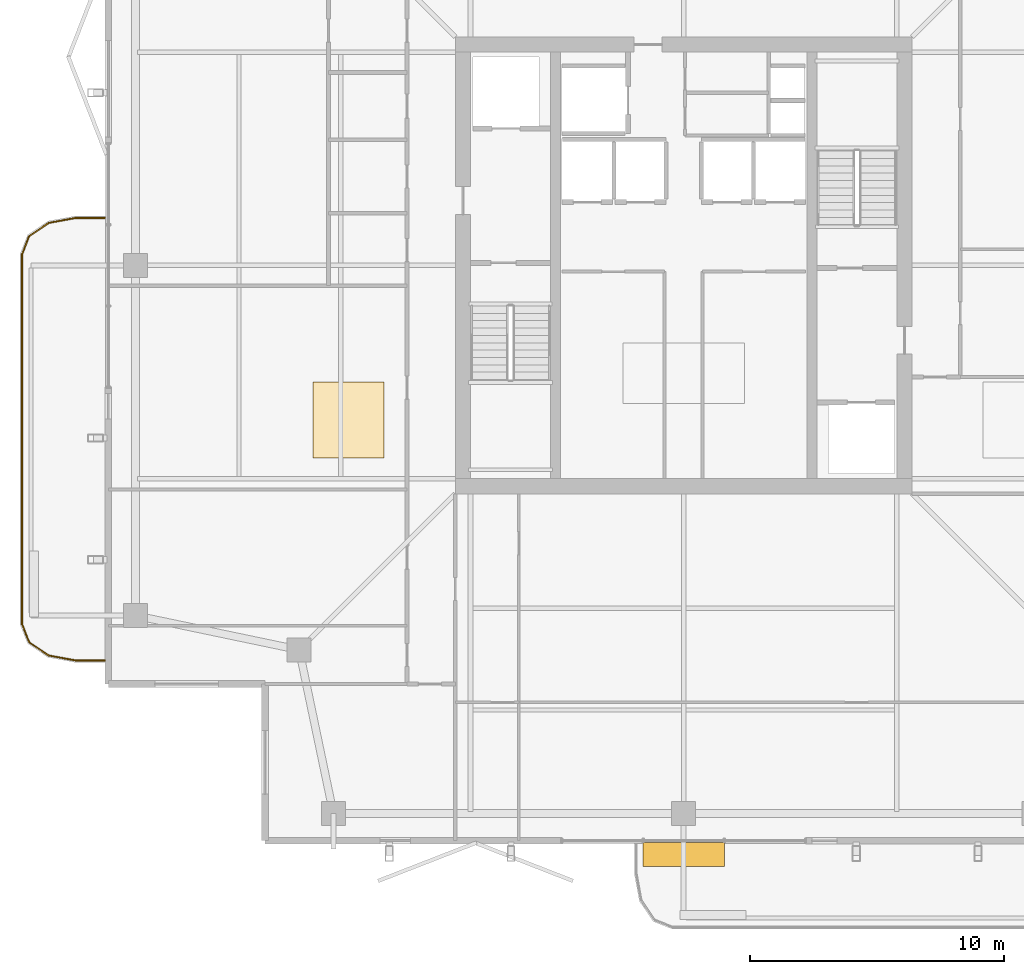
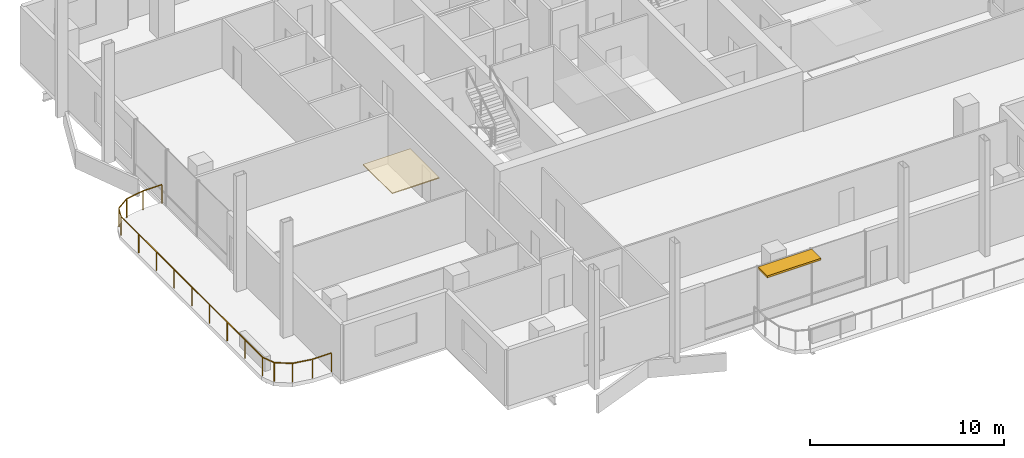
# One storey, part 18 of 20: 1 covering, 1 railing, 1 shading device.
"""IFC4 building model written with IfcOpenShell, lengths in metres."""

from ifc_helpers import new_model, si_unit, direction, frame, origin, origin_2d, place, context, subcontext, project, spatial, polyline, rectangle, outline, extrude, material, layer, layer_set, type_object, element, save


model = new_model("IFC4")

# Units and contexts
model_context = context("Model", 3, precision=1e-05, world=origin(), true_north=direction((0.0, 1.0)))
body_context = subcontext(model_context, "Body", "Model", "MODEL_VIEW")
ifc_project = project(units=[si_unit("LENGTHUNIT", "METRE"), si_unit("AREAUNIT", "SQUARE_METRE"), si_unit("VOLUMEUNIT", "CUBIC_METRE"), si_unit("PLANEANGLEUNIT", "RADIAN"), si_unit("MASSUNIT", "GRAM", prefix="KILO")], contexts=[model_context])

# Site, building, storey
site_placement = place(None, origin())
site = spatial("IfcSite", under=ifc_project, at=site_placement, CompositionType="ELEMENT")
building_placement = place(site_placement, origin())
building = spatial("IfcBuilding", under=site, at=building_placement, Name="Belovzor Exchange Tower", CompositionType="ELEMENT")
storey_placement = place(building_placement, frame((0.0, 0.0, 306.75)))
storey = spatial("IfcBuildingStorey", under=building, at=storey_placement, Name="L76", CompositionType="ELEMENT", Elevation=306.75)

# Railing
ifc_material_1 = material(Name="Stainless Steel and Laminated Safety Glass", Category="steel")
railing_type = type_object("IfcRailingType", Name="Laminated Glass & Stainless Steel Balcony Balustrade 1200", PredefinedType="BALUSTRADE", material=ifc_material_1)
railing_placement = place(storey_placement, frame((5.989990234375, 30.669921875, 0.0)))
element("IfcRailing", 1, at=railing_placement, inside=storey, type_object=railing_type, Name="GR-1 Balcony Balustrade L76 West", PredefinedType="BALUSTRADE", context=body_context, shape_type="SweptSolid", body=[
    extrude(rectangle(XDim=0.048095703125, YDim=0.048095703125, at=origin_2d()), frame((0.0, 0.0, 1.17578125), z_axis=(-1.0, 0.0, 0.0), x_axis=(0.0, -1.0, 0.0)), (0.0, 0.0, 1.0), 1.133056640625),
    extrude(rectangle(XDim=0.048095703125, YDim=0.048095703125, at=origin_2d()), frame((-1.133056640625, 0.0, 1.17578125), z_axis=(-0.983644145941, -0.180122719713, 0.0), x_axis=(0.180122719713, -0.983644145941, 0.0)), (0.0, 0.0, 1.0), 1.09375),
    extrude(rectangle(XDim=0.048095703125, YDim=0.048095703125, at=origin_2d()), frame((-2.208984375, -0.197021484375, 1.17578125), z_axis=(-0.826614792125, -0.562768145367, 0.0), x_axis=(0.562768145367, -0.826614792125, 0.0)), (0.0, 0.0, 1.0), 0.9326171875),
    extrude(rectangle(XDim=0.048095703125, YDim=0.048095703125, at=origin_2d()), frame((-2.97998046875, -0.721923828125, 1.17578125), z_axis=(-0.365612923861, -0.930766990125, 0.0), x_axis=(0.930766990125, -0.365612923861, 0.0)), (0.0, 0.0, 1.0), 0.765869140625),
    extrude(rectangle(XDim=0.048095703125, YDim=0.048095703125, at=origin_2d()), frame((-3.260009765625, -1.434814453125, 1.17578125), z_axis=(0.0, -1.0, 0.0), x_axis=(1.0, 0.0, 0.0)), (0.0, 0.0, 1.0), 14.570068359375),
    extrude(rectangle(XDim=0.048095703125, YDim=0.048095703125, at=origin_2d()), frame((-3.260009765625, -16.0048828125, 1.17578125), z_axis=(0.365504480807, -0.930809580156, 0.0), x_axis=(0.930809580156, 0.365504480807, 0.0)), (0.0, 0.0, 1.0), 0.76611328125),
    extrude(rectangle(XDim=0.048095703125, YDim=0.048095703125, at=origin_2d()), frame((-2.97998046875, -16.718017578125, 1.17578125), z_axis=(0.826614792125, -0.562768145367, 0.0), x_axis=(0.562768145367, 0.826614792125, 0.0)), (0.0, 0.0, 1.0), 0.9326171875),
    extrude(rectangle(XDim=0.048095703125, YDim=0.048095703125, at=origin_2d()), frame((-2.208984375, -17.242919921875, 1.17578125), z_axis=(0.983644145941, -0.180122719713, 0.0), x_axis=(0.180122719713, 0.983644145941, 0.0)), (0.0, 0.0, 1.0), 1.09375),
    extrude(rectangle(XDim=0.048095703125, YDim=0.048095703125, at=origin_2d()), frame((-1.133056640625, -17.43994140625, 1.17578125), z_axis=(1.0, 0.0, 0.0), x_axis=(0.0, 1.0, 0.0)), (0.0, 0.0, 1.0), 1.133056640625),
    extrude(rectangle(XDim=0.0419921875, YDim=0.0419921875, at=origin_2d()), origin(), (0.0, 0.0, 1.0), 1.15185546875),
    extrude(rectangle(XDim=0.0419921875, YDim=0.0419921875, at=origin_2d()), frame((-1.133056640625, 0.0, 0.0)), (0.0, 0.0, 1.0), 1.15185546875),
    extrude(rectangle(XDim=0.0419921875, YDim=0.0419921875, at=origin_2d()), frame((-2.208984375, -0.197021484375, 0.0)), (0.0, 0.0, 1.0), 1.15185546875),
    extrude(rectangle(XDim=0.0419921875, YDim=0.0419921875, at=origin_2d()), frame((-2.97998046875, -0.721923828125, 0.0)), (0.0, 0.0, 1.0), 1.15185546875),
    extrude(rectangle(XDim=0.0419921875, YDim=0.0419921875, at=origin_2d()), frame((-3.260009765625, -1.434814453125, 0.0)), (0.0, 0.0, 1.0), 1.15185546875),
    extrude(rectangle(XDim=0.0419921875, YDim=0.0419921875, at=origin_2d()), frame((-3.260009765625, -3.256103515625, 0.0)), (0.0, 0.0, 1.0), 1.15185546875),
    extrude(rectangle(XDim=0.0419921875, YDim=0.0419921875, at=origin_2d()), frame((-3.260009765625, -5.077392578125, 0.0)), (0.0, 0.0, 1.0), 1.15185546875),
    extrude(rectangle(XDim=0.0419921875, YDim=0.0419921875, at=origin_2d()), frame((-3.260009765625, -6.898681640625, 0.0)), (0.0, 0.0, 1.0), 1.15185546875),
    extrude(rectangle(XDim=0.0419921875, YDim=0.0419921875, at=origin_2d()), frame((-3.260009765625, -8.7197265625, 0.0)), (0.0, 0.0, 1.0), 1.15185546875),
    extrude(rectangle(XDim=0.0419921875, YDim=0.0419921875, at=origin_2d()), frame((-3.260009765625, -10.541015625, 0.0)), (0.0, 0.0, 1.0), 1.15185546875),
    extrude(rectangle(XDim=0.0419921875, YDim=0.0419921875, at=origin_2d()), frame((-3.260009765625, -12.3623046875, 0.0)), (0.0, 0.0, 1.0), 1.15185546875),
    extrude(rectangle(XDim=0.0419921875, YDim=0.0419921875, at=origin_2d()), frame((-3.260009765625, -14.18359375, 0.0)), (0.0, 0.0, 1.0), 1.15185546875),
    extrude(rectangle(XDim=0.0419921875, YDim=0.0419921875, at=origin_2d()), frame((-3.260009765625, -16.0048828125, 0.0)), (0.0, 0.0, 1.0), 1.15185546875),
    extrude(rectangle(XDim=0.0419921875, YDim=0.0419921875, at=origin_2d()), frame((-2.97998046875, -16.718017578125, 0.0)), (0.0, 0.0, 1.0), 1.15185546875),
    extrude(rectangle(XDim=0.0419921875, YDim=0.0419921875, at=origin_2d()), frame((-2.208984375, -17.242919921875, 0.0)), (0.0, 0.0, 1.0), 1.15185546875),
    extrude(rectangle(XDim=0.0419921875, YDim=0.0419921875, at=origin_2d()), frame((-1.133056640625, -17.43994140625, 0.0)), (0.0, 0.0, 1.0), 1.15185546875),
    extrude(rectangle(XDim=0.0419921875, YDim=0.0419921875, at=origin_2d()), frame((0.0, -17.43994140625, 0.0)), (0.0, 0.0, 1.0), 1.15185546875),
])

# Covering
ifc_material_2 = material(Name="Perforated Powder-Coated Aluminium", Category="aluminium")
ifc_layer_1 = layer(ifc_material_2, 0.06005859375)
ifc_layer_set_1 = layer_set([ifc_layer_1], Name="Perforated Powder-Coated Aluminium")
covering_type = type_object("IfcCoveringType", Name="Perforated Acoustic Metal Tile Suspended Ceiling 60", PredefinedType="CEILING", material=ifc_layer_set_1)
covering_placement = place(storey_placement, frame((0.0, 0.0, 3.449951171875)))
element("IfcCovering", 2, at=covering_placement, inside=storey, type_object=covering_type, Name="CLG-AC60 Suspended Ceiling CLG-L76-Z3", PredefinedType="CEILING", context=body_context, shape_type="SweptSolid", body=[
    extrude(outline(polyline([(14.199951171875, 21.199951171875), (17.0, 21.199951171875), (17.0, 24.199951171875), (14.199951171875, 24.199951171875), (14.199951171875, 21.199951171875)])), origin(), (0.0, 0.0, 1.0), 0.06005859375),
])

# Shading device
ifc_material_3 = material(Name="Extruded Architectural Terracotta", Category="masonry")
ifc_layer_2 = layer(ifc_material_3, 0.1201171875)
ifc_layer_set_2 = layer_set([ifc_layer_2], Name="Extruded Architectural Terracotta")
shading_device_type = type_object("IfcShadingDeviceType", Name="Streamline Terracotta Horizontal Sunshade Hood 950", PredefinedType="AWNING", material=ifc_layer_set_2)
shading_device_placement = place(storey_placement, frame((28.800048828125, 5.5849609375, 3.389892578125), z_axis=(0.0, 0.0, 1.0), x_axis=(1.0, 0.0, 0.0)))
element("IfcShadingDevice", 3, at=shading_device_placement, inside=storey, type_object=shading_device_type, Name="SHD-TC095 Terracotta Sunshade L76 S", PredefinedType="AWNING", context=body_context, shape_type="SweptSolid", body=[
    extrude(rectangle(XDim=3.199951171875, YDim=0.949951171875, at=origin_2d()), origin(), (0.0, 0.0, 1.0), 0.1201171875),
])

save(model, "model.ifc")
